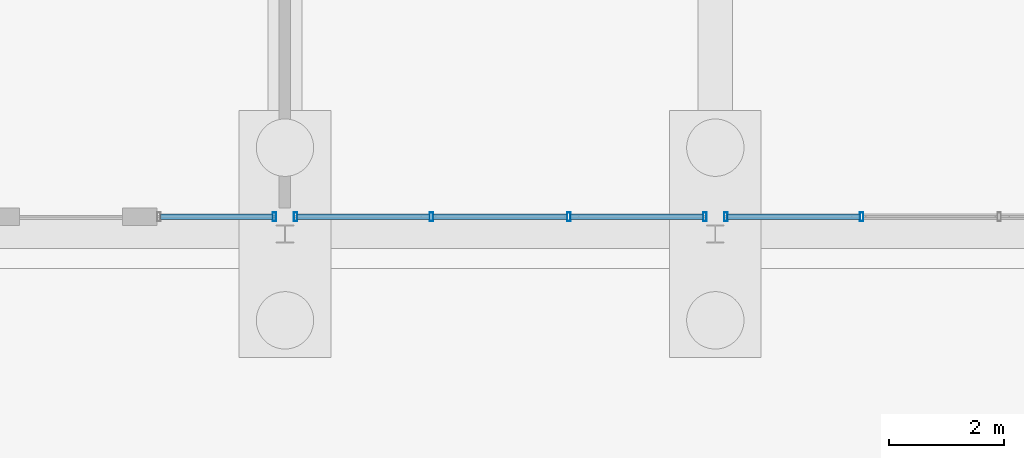
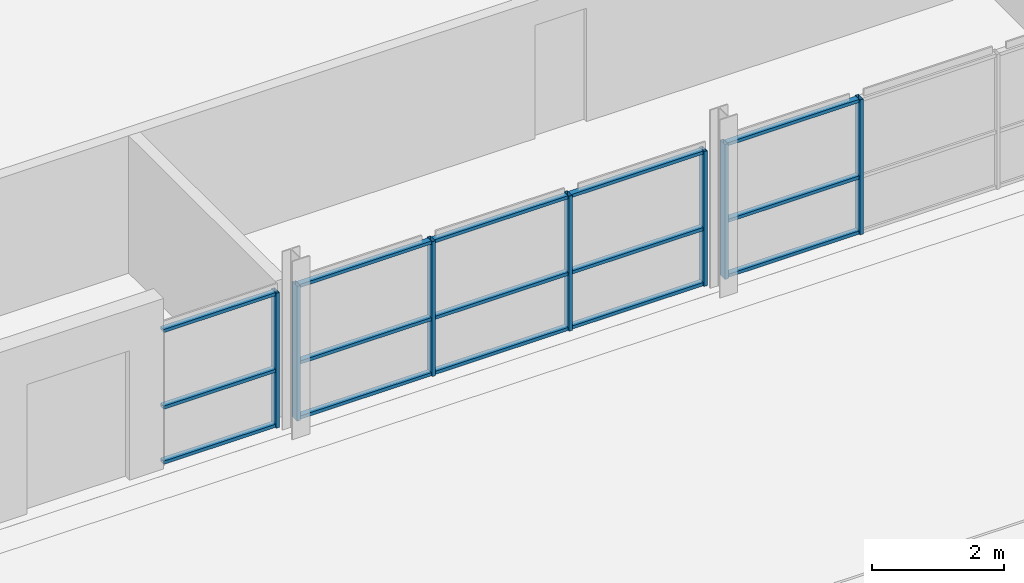
# One storey, part 52 of 130: 22 members, 3 elements without a shape of their own.
"""IFC4 building model written with IfcOpenShell, lengths in metres."""

from ifc_helpers import new_model, si_unit, direction, frame, origin, origin_2d, place, context, subcontext, project, spatial, hollow_rectangle, extrude, material, material_profile, profile_set, type_object, element, aggregate, save


model = new_model("IFC4")

# Units and contexts
model_context = context("Model", 3, precision=1e-05, world=origin(), true_north=direction((0.0, 1.0)))
body_context = subcontext(model_context, "Body", "Model", "MODEL_VIEW")
ifc_project = project(units=[si_unit("LENGTHUNIT", "METRE"), si_unit("AREAUNIT", "SQUARE_METRE"), si_unit("VOLUMEUNIT", "CUBIC_METRE"), si_unit("PLANEANGLEUNIT", "RADIAN"), si_unit("MASSUNIT", "GRAM", prefix="KILO")], contexts=[model_context])

# Site, building, storey
site_placement = place(None, origin())
site = spatial("IfcSite", under=ifc_project, at=site_placement, CompositionType="ELEMENT")
building_placement = place(site_placement, origin())
building = spatial("IfcBuilding", under=site, at=building_placement, Name="Parallax Yard Mobility Hub", CompositionType="ELEMENT")
storey_placement = place(building_placement, origin())
storey = spatial("IfcBuildingStorey", under=building, at=storey_placement, Name="L00", CompositionType="ELEMENT", Elevation=0.0)

# Curtain wall, member
ifc_material_1 = material(Name="Aluminium and glass curtain wall", Category="aluminium")
curtain_wall_type = type_object("IfcCurtainWallType", Name="Curtain wall, aluminium stick system", PredefinedType="NOTDEFINED", material=ifc_material_1)
curtain_wall_1_placement = place(storey_placement, origin())
curtain_wall_1 = element("IfcCurtainWall", 1, at=curtain_wall_1_placement, inside=storey, type_object=curtain_wall_type, Name="Curtain wall CW12 level L00 bay 8", PredefinedType="NOTDEFINED")
ifc_material_2 = material(Name="Aluminium 6063-T6 anodised", Category="aluminium")
ifc_material_profile_1 = material_profile(ifc_material_2, hollow_rectangle(XDim=0.14990234375, YDim=0.06005859375, WallThickness=0.00390625, at=origin_2d()), Name="RHS 60x150x4")
ifc_profile_set_1 = profile_set([ifc_material_profile_1], Name="Aluminium 6063-T6 anodised")
member_type_1 = type_object("IfcMemberType", Name="Curtain wall mullion RHS 60x150x4", PredefinedType="MULLION", material=ifc_profile_set_1)
member_1_placement = place(storey_placement, frame((97.31640625, 112.800048828125, 0.0), z_axis=(0.0, 0.0, 1.0), x_axis=(0.0, 1.0, 0.0)))
member_1 = element("IfcMember", 2, at=member_1_placement, type_object=member_type_1, Name="CW12 mullion 2", PredefinedType="MULLION", context=body_context, shape_type="SweptSolid", body=[
    extrude(hollow_rectangle(XDim=0.14990234375, YDim=0.06005859375, WallThickness=0.00390625, at=origin_2d()), origin(), (0.0, 0.0, 1.0), 2.5),
])

# Curtain wall, members
curtain_wall_2_placement = place(storey_placement, origin())
curtain_wall_2 = element("IfcCurtainWall", 3, at=curtain_wall_2_placement, inside=storey, type_object=curtain_wall_type, Name="Curtain wall CW13 level L00 bay 9", PredefinedType="NOTDEFINED")
member_2_placement = place(storey_placement, frame((97.68359375, 112.800048828125, 0.0), z_axis=(0.0, 0.0, 1.0), x_axis=(0.0, 1.0, 0.0)))
member_2 = element("IfcMember", 4, at=member_2_placement, type_object=member_type_1, Name="CW13 mullion 1", PredefinedType="MULLION", context=body_context, shape_type="SweptSolid", body=[
    extrude(hollow_rectangle(XDim=0.14990234375, YDim=0.06005859375, WallThickness=0.00390625, at=origin_2d()), origin(), (0.0, 0.0, 1.0), 2.5),
])
member_3_placement = place(storey_placement, frame((100.05126953125, 112.800048828125, 0.0), z_axis=(0.0, 0.0, 1.0), x_axis=(0.0, 1.0, 0.0)))
member_3 = element("IfcMember", 5, at=member_3_placement, type_object=member_type_1, Name="CW13 mullion 2", PredefinedType="MULLION", context=body_context, shape_type="SweptSolid", body=[
    extrude(hollow_rectangle(XDim=0.14990234375, YDim=0.06005859375, WallThickness=0.00390625, at=origin_2d()), origin(), (0.0, 0.0, 1.0), 2.5),
])
member_4_placement = place(storey_placement, frame((102.44873046875, 112.800048828125, 0.0), z_axis=(0.0, 0.0, 1.0), x_axis=(0.0, 1.0, 0.0)))
member_4 = element("IfcMember", 6, at=member_4_placement, type_object=member_type_1, Name="CW13 mullion 3", PredefinedType="MULLION", context=body_context, shape_type="SweptSolid", body=[
    extrude(hollow_rectangle(XDim=0.14990234375, YDim=0.06005859375, WallThickness=0.00390625, at=origin_2d()), origin(), (0.0, 0.0, 1.0), 2.5),
])
member_5_placement = place(storey_placement, frame((104.81640625, 112.800048828125, 0.0), z_axis=(0.0, 0.0, 1.0), x_axis=(0.0, 1.0, 0.0)))
member_5 = element("IfcMember", 7, at=member_5_placement, type_object=member_type_1, Name="CW13 mullion 4", PredefinedType="MULLION", context=body_context, shape_type="SweptSolid", body=[
    extrude(hollow_rectangle(XDim=0.14990234375, YDim=0.06005859375, WallThickness=0.00390625, at=origin_2d()), origin(), (0.0, 0.0, 1.0), 2.5),
])

curtain_wall_3_placement = place(storey_placement, origin())
curtain_wall_3 = element("IfcCurtainWall", 8, at=curtain_wall_3_placement, inside=storey, type_object=curtain_wall_type, Name="Curtain wall CW14 level L00 bay 10", PredefinedType="NOTDEFINED")
member_6_placement = place(storey_placement, frame((105.18359375, 112.800048828125, 0.0), z_axis=(0.0, 0.0, 1.0), x_axis=(0.0, 1.0, 0.0)))
member_6 = element("IfcMember", 9, at=member_6_placement, type_object=member_type_1, Name="CW14 mullion 1", PredefinedType="MULLION", context=body_context, shape_type="SweptSolid", body=[
    extrude(hollow_rectangle(XDim=0.14990234375, YDim=0.06005859375, WallThickness=0.00390625, at=origin_2d()), origin(), (0.0, 0.0, 1.0), 2.5),
])
member_7_placement = place(storey_placement, frame((107.55126953125, 112.800048828125, 0.0), z_axis=(0.0, 0.0, 1.0), x_axis=(0.0, 1.0, 0.0)))
member_7 = element("IfcMember", 10, at=member_7_placement, type_object=member_type_1, Name="CW14 mullion 2", PredefinedType="MULLION", context=body_context, shape_type="SweptSolid", body=[
    extrude(hollow_rectangle(XDim=0.14990234375, YDim=0.06005859375, WallThickness=0.00390625, at=origin_2d()), origin(), (0.0, 0.0, 1.0), 2.5),
])

# Member
ifc_material_profile_2 = material_profile(ifc_material_2, hollow_rectangle(XDim=0.10009765625, YDim=0.06005859375, WallThickness=0.00390625, at=origin_2d()), Name="RHS 60x100x4")
ifc_profile_set_2 = profile_set([ifc_material_profile_2], Name="Aluminium 6063-T6 anodised")
member_type_2 = type_object("IfcMemberType", Name="Curtain wall transom RHS 60x100x4", PredefinedType="USERDEFINED", material=ifc_profile_set_2)
member_8_placement = place(storey_placement, frame((95.331787109375, 112.800048828125, 0.030029296875), z_axis=(1.0, 0.0, 0.0), x_axis=(0.0, 1.0, 0.0)))
member_8 = element("IfcMember", 11, at=member_8_placement, type_object=member_type_2, Name="CW12 transom 1.1", ObjectType="TRANSOM", PredefinedType="USERDEFINED", context=body_context, shape_type="SweptSolid", body=[
    extrude(hollow_rectangle(XDim=0.10009765625, YDim=0.06005859375, WallThickness=0.00390625, at=origin_2d()), origin(), (0.0, 0.0, 1.0), 1.954833984375),
])

member_9_placement = place(storey_placement, frame((95.331787109375, 112.800048828125, 1.050048828125), z_axis=(1.0, 0.0, 0.0), x_axis=(0.0, 1.0, 0.0)))
member_9 = element("IfcMember", 12, at=member_9_placement, type_object=member_type_2, Name="CW12 transom 1.2", ObjectType="TRANSOM", PredefinedType="USERDEFINED", context=body_context, shape_type="SweptSolid", body=[
    extrude(hollow_rectangle(XDim=0.10009765625, YDim=0.06005859375, WallThickness=0.00390625, at=origin_2d()), origin(), (0.0, 0.0, 1.0), 1.954833984375),
])

member_10_placement = place(storey_placement, frame((95.331787109375, 112.800048828125, 2.469970703125), z_axis=(1.0, 0.0, 0.0), x_axis=(0.0, 1.0, 0.0)))
member_10 = element("IfcMember", 13, at=member_10_placement, type_object=member_type_2, Name="CW12 transom 1.3", ObjectType="TRANSOM", PredefinedType="USERDEFINED", context=body_context, shape_type="SweptSolid", body=[
    extrude(hollow_rectangle(XDim=0.10009765625, YDim=0.06005859375, WallThickness=0.00390625, at=origin_2d()), origin(), (0.0, 0.0, 1.0), 1.954833984375),
])

aggregate(curtain_wall_1, [member_1, member_8, member_9, member_10])

member_11_placement = place(storey_placement, frame((97.71337890625, 112.800048828125, 0.030029296875), z_axis=(1.0, 0.0, 0.0), x_axis=(0.0, 1.0, 0.0)))
member_11 = element("IfcMember", 14, at=member_11_placement, type_object=member_type_2, Name="CW13 transom 1.1", ObjectType="TRANSOM", PredefinedType="USERDEFINED", context=body_context, shape_type="SweptSolid", body=[
    extrude(hollow_rectangle(XDim=0.10009765625, YDim=0.06005859375, WallThickness=0.00390625, at=origin_2d()), origin(), (0.0, 0.0, 1.0), 2.307861328125),
])

member_12_placement = place(storey_placement, frame((97.71337890625, 112.800048828125, 1.050048828125), z_axis=(1.0, 0.0, 0.0), x_axis=(0.0, 1.0, 0.0)))
member_12 = element("IfcMember", 15, at=member_12_placement, type_object=member_type_2, Name="CW13 transom 1.2", ObjectType="TRANSOM", PredefinedType="USERDEFINED", context=body_context, shape_type="SweptSolid", body=[
    extrude(hollow_rectangle(XDim=0.10009765625, YDim=0.06005859375, WallThickness=0.00390625, at=origin_2d()), origin(), (0.0, 0.0, 1.0), 2.307861328125),
])

member_13_placement = place(storey_placement, frame((97.71337890625, 112.800048828125, 2.469970703125), z_axis=(1.0, 0.0, 0.0), x_axis=(0.0, 1.0, 0.0)))
member_13 = element("IfcMember", 16, at=member_13_placement, type_object=member_type_2, Name="CW13 transom 1.3", ObjectType="TRANSOM", PredefinedType="USERDEFINED", context=body_context, shape_type="SweptSolid", body=[
    extrude(hollow_rectangle(XDim=0.10009765625, YDim=0.06005859375, WallThickness=0.00390625, at=origin_2d()), origin(), (0.0, 0.0, 1.0), 2.307861328125),
])

member_14_placement = place(storey_placement, frame((100.0810546875, 112.800048828125, 0.030029296875), z_axis=(1.0, 0.0, 0.0), x_axis=(0.0, 1.0, 0.0)))
member_14 = element("IfcMember", 17, at=member_14_placement, type_object=member_type_2, Name="CW13 transom 2.1", ObjectType="TRANSOM", PredefinedType="USERDEFINED", context=body_context, shape_type="SweptSolid", body=[
    extrude(hollow_rectangle(XDim=0.10009765625, YDim=0.06005859375, WallThickness=0.00390625, at=origin_2d()), origin(), (0.0, 0.0, 1.0), 2.337890625),
])

member_15_placement = place(storey_placement, frame((100.0810546875, 112.800048828125, 1.050048828125), z_axis=(1.0, 0.0, 0.0), x_axis=(0.0, 1.0, 0.0)))
member_15 = element("IfcMember", 18, at=member_15_placement, type_object=member_type_2, Name="CW13 transom 2.2", ObjectType="TRANSOM", PredefinedType="USERDEFINED", context=body_context, shape_type="SweptSolid", body=[
    extrude(hollow_rectangle(XDim=0.10009765625, YDim=0.06005859375, WallThickness=0.00390625, at=origin_2d()), origin(), (0.0, 0.0, 1.0), 2.337890625),
])

member_16_placement = place(storey_placement, frame((100.0810546875, 112.800048828125, 2.469970703125), z_axis=(1.0, 0.0, 0.0), x_axis=(0.0, 1.0, 0.0)))
member_16 = element("IfcMember", 19, at=member_16_placement, type_object=member_type_2, Name="CW13 transom 2.3", ObjectType="TRANSOM", PredefinedType="USERDEFINED", context=body_context, shape_type="SweptSolid", body=[
    extrude(hollow_rectangle(XDim=0.10009765625, YDim=0.06005859375, WallThickness=0.00390625, at=origin_2d()), origin(), (0.0, 0.0, 1.0), 2.337890625),
])

member_17_placement = place(storey_placement, frame((102.478759765625, 112.800048828125, 0.030029296875), z_axis=(1.0, 0.0, 0.0), x_axis=(0.0, 1.0, 0.0)))
member_17 = element("IfcMember", 20, at=member_17_placement, type_object=member_type_2, Name="CW13 transom 3.1", ObjectType="TRANSOM", PredefinedType="USERDEFINED", context=body_context, shape_type="SweptSolid", body=[
    extrude(hollow_rectangle(XDim=0.10009765625, YDim=0.06005859375, WallThickness=0.00390625, at=origin_2d()), origin(), (0.0, 0.0, 1.0), 2.307861328125),
])

member_18_placement = place(storey_placement, frame((102.478759765625, 112.800048828125, 1.050048828125), z_axis=(1.0, 0.0, 0.0), x_axis=(0.0, 1.0, 0.0)))
member_18 = element("IfcMember", 21, at=member_18_placement, type_object=member_type_2, Name="CW13 transom 3.2", ObjectType="TRANSOM", PredefinedType="USERDEFINED", context=body_context, shape_type="SweptSolid", body=[
    extrude(hollow_rectangle(XDim=0.10009765625, YDim=0.06005859375, WallThickness=0.00390625, at=origin_2d()), origin(), (0.0, 0.0, 1.0), 2.307861328125),
])

member_19_placement = place(storey_placement, frame((102.478759765625, 112.800048828125, 2.469970703125), z_axis=(1.0, 0.0, 0.0), x_axis=(0.0, 1.0, 0.0)))
member_19 = element("IfcMember", 22, at=member_19_placement, type_object=member_type_2, Name="CW13 transom 3.3", ObjectType="TRANSOM", PredefinedType="USERDEFINED", context=body_context, shape_type="SweptSolid", body=[
    extrude(hollow_rectangle(XDim=0.10009765625, YDim=0.06005859375, WallThickness=0.00390625, at=origin_2d()), origin(), (0.0, 0.0, 1.0), 2.307861328125),
])

aggregate(curtain_wall_2, [member_2, member_3, member_4, member_5, member_11, member_12, member_13, member_14, member_15, member_16, member_17, member_18, member_19])

member_20_placement = place(storey_placement, frame((105.21337890625, 112.800048828125, 0.030029296875), z_axis=(1.0, 0.0, 0.0), x_axis=(0.0, 1.0, 0.0)))
member_20 = element("IfcMember", 23, at=member_20_placement, type_object=member_type_2, Name="CW14 transom 1.1", ObjectType="TRANSOM", PredefinedType="USERDEFINED", context=body_context, shape_type="SweptSolid", body=[
    extrude(hollow_rectangle(XDim=0.10009765625, YDim=0.06005859375, WallThickness=0.00390625, at=origin_2d()), origin(), (0.0, 0.0, 1.0), 2.307861328125),
])

member_21_placement = place(storey_placement, frame((105.21337890625, 112.800048828125, 1.050048828125), z_axis=(1.0, 0.0, 0.0), x_axis=(0.0, 1.0, 0.0)))
member_21 = element("IfcMember", 24, at=member_21_placement, type_object=member_type_2, Name="CW14 transom 1.2", ObjectType="TRANSOM", PredefinedType="USERDEFINED", context=body_context, shape_type="SweptSolid", body=[
    extrude(hollow_rectangle(XDim=0.10009765625, YDim=0.06005859375, WallThickness=0.00390625, at=origin_2d()), origin(), (0.0, 0.0, 1.0), 2.307861328125),
])

member_22_placement = place(storey_placement, frame((105.21337890625, 112.800048828125, 2.469970703125), z_axis=(1.0, 0.0, 0.0), x_axis=(0.0, 1.0, 0.0)))
member_22 = element("IfcMember", 25, at=member_22_placement, type_object=member_type_2, Name="CW14 transom 1.3", ObjectType="TRANSOM", PredefinedType="USERDEFINED", context=body_context, shape_type="SweptSolid", body=[
    extrude(hollow_rectangle(XDim=0.10009765625, YDim=0.06005859375, WallThickness=0.00390625, at=origin_2d()), origin(), (0.0, 0.0, 1.0), 2.307861328125),
])

aggregate(curtain_wall_3, [member_6, member_7, member_20, member_21, member_22])

save(model, "model.ifc")
